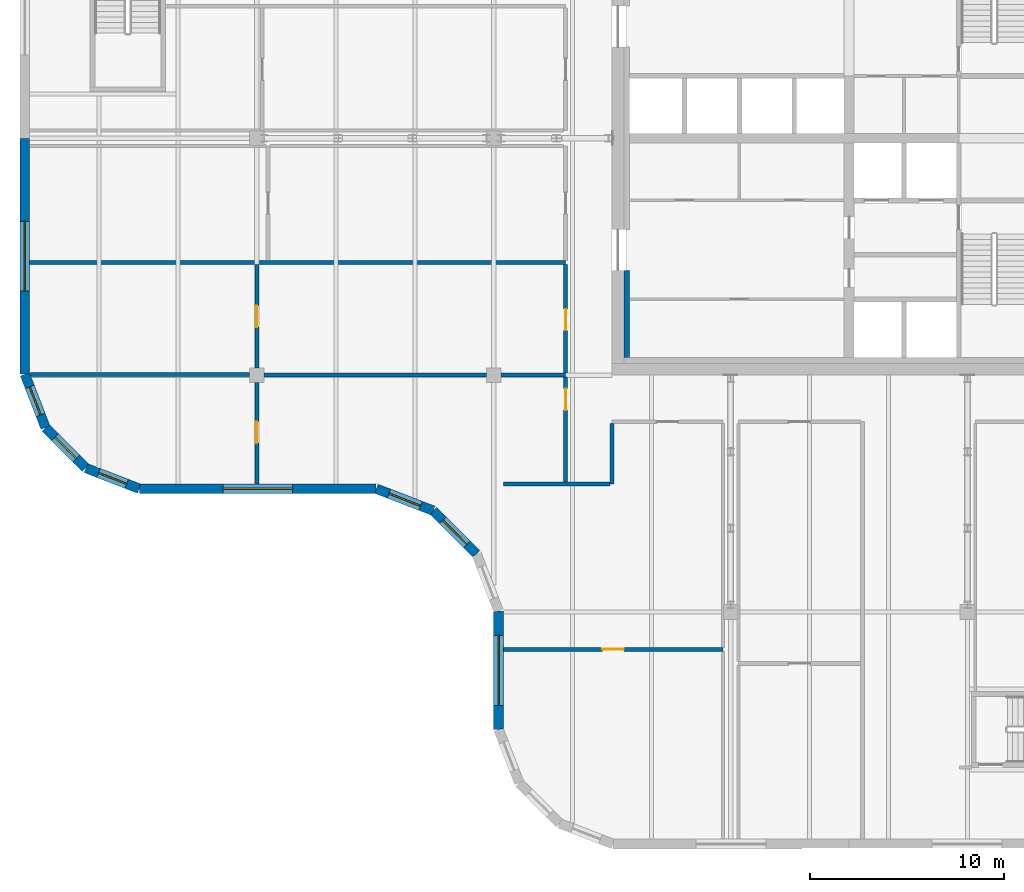
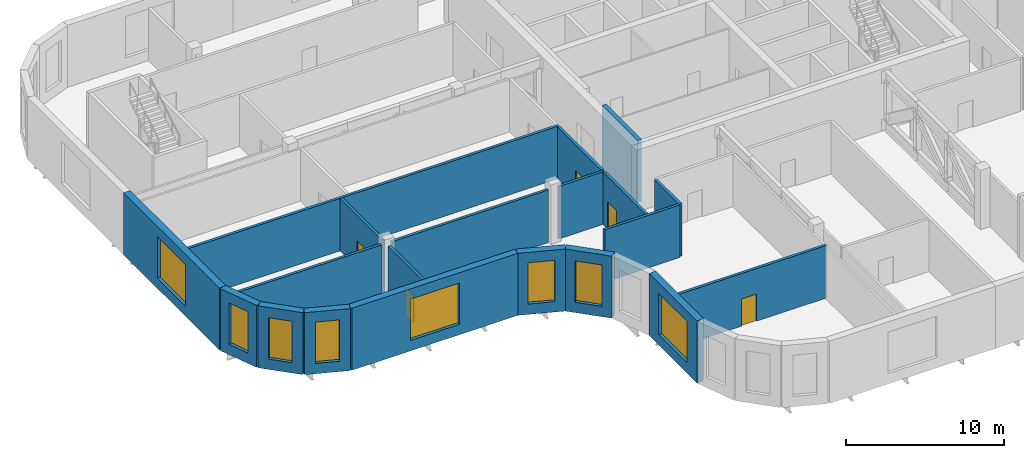
# One storey, part 5 of 12: 20 walls, 8 windows, 5 doors, 13 openings.
"""IFC4 building model written with IfcOpenShell, lengths in metres."""

from ifc_helpers import new_model, si_unit, direction, frame, frame_2d, origin, place, context, subcontext, project, spatial, polyline, rectangle, outline, extrude, faceted_brep, source, transform, mapped, material, layer, layer_set, type_object, element, fill, save


model = new_model("IFC4")

# Units and contexts
model_context = context("Model", 3, precision=1e-05, world=origin(), true_north=direction((0.0, 1.0)))
body_context = subcontext(model_context, "Body", "Model", "MODEL_VIEW")
ifc_project = project(units=[si_unit("LENGTHUNIT", "METRE"), si_unit("AREAUNIT", "SQUARE_METRE"), si_unit("VOLUMEUNIT", "CUBIC_METRE"), si_unit("PLANEANGLEUNIT", "RADIAN"), si_unit("MASSUNIT", "GRAM", prefix="KILO")], contexts=[model_context])

# Site, building, storey
site_placement = place(None, origin())
site = spatial("IfcSite", under=ifc_project, at=site_placement, CompositionType="ELEMENT")
building_placement = place(site_placement, origin())
building = spatial("IfcBuilding", under=site, at=building_placement, Name="Tessera Gate Towers", CompositionType="ELEMENT")
storey_placement = place(building_placement, frame((0.0, 0.0, 150.60009765625)))
storey = spatial("IfcBuildingStorey", under=building, at=storey_placement, Name="L37", CompositionType="ELEMENT", Elevation=150.60009765625)

# Wall
ifc_material_1 = material(Name="Concrete C50/60", Category="concrete")
ifc_layer_1 = layer(ifc_material_1, 0.300048828125)
ifc_layer_set_1 = layer_set([ifc_layer_1], Name="CORE WALL THICKENING 300")
wall_type_1 = type_object("IfcWallType", Name="CORE WALL THICKENING 300", PredefinedType="SOLIDWALL", material=ifc_layer_set_1)
wall_1_placement = place(storey_placement, frame((31.25, 25.300048828125, 0.0), z_axis=(0.0, 0.0, 1.0), x_axis=(0.0, 1.0, 0.0)))
element("IfcWall", 1, at=wall_1_placement, inside=storey, type_object=wall_type_1, Name="Core wall thickening W L37", PredefinedType="SOLIDWALL", context=body_context, shape_type="SweptSolid", body=[
    extrude(rectangle(XDim=4.5, YDim=0.300048828125, at=frame_2d((2.25, 0.0))), origin(), (0.0, 0.0, 1.0), 4.7998046875),
])

# Wall, opening, door
ifc_material_2 = material(Name="Concrete masonry unit", Category="masonry")
ifc_layer_2 = layer(ifc_material_2, 0.199951171875)
ifc_layer_set_2 = layer_set([ifc_layer_2], Name="PLANT WALL 200")
wall_type_2 = type_object("IfcWallType", Name="PLANT WALL 200", PredefinedType="PARTITIONING", material=ifc_layer_set_2)
wall_2_placement = place(storey_placement, frame((36.199951171875, 10.27490234375, 0.0), z_axis=(0.0, 0.0, 1.0), x_axis=(-1.0, 0.0, 0.0)))
wall_2 = element("IfcWall", 2, at=wall_2_placement, inside=storey, type_object=wall_type_2, Name="T1-L37-PW-008", PredefinedType="PARTITIONING", context=body_context, shape_type="SweptSolid", body=[
    extrude(rectangle(XDim=11.300048828125, YDim=0.199951171875, at=frame_2d((5.64990234375, 0.0))), origin(), (0.0, 0.0, 1.0), 4.06689453125),
])
shared_shape_1 = source(origin(), body_context, "Body", "SweptSolid", [
    extrude(rectangle(XDim=1.10009765625, YDim=2.10009765625, at=frame_2d((0.550048828125, 1.050048828125))), frame((0.0, 0.10986328125, 0.0), z_axis=(0.0, -1.0, 0.0), x_axis=(1.0, 0.0, 0.0)), (0.0, 0.0, 1.0), 0.219970703125),
])
opening_1_placement = place(wall_2_placement, frame((5.10009765625, 0.0, 0.0)))
opening_1 = element("IfcOpeningElement", 3, at=opening_1_placement, cuts=wall_2, Name="Opening D5110FD90-A31-19", PredefinedType="OPENING", context=body_context, shape_type="MappedRepresentation", body=[
    mapped(shared_shape_1, transform((0.0, 0.0, 0.0), scale=1.0)),
])
ifc_material_3 = material(Name="Timber door leaf in steel frame", Category="steel")
door_type = type_object("IfcDoorType", Name="PLANT DOOR 1100 FD90", OperationType="NOTDEFINED", PredefinedType="DOOR", material=ifc_material_3)
shared_shape_2 = source(origin(), body_context, "Body", "SweptSolid", [
    extrude(rectangle(XDim=1.10009765625, YDim=2.10009765625, at=frame_2d((0.550048828125, 1.050048828125))), frame((0.0, 0.02490234375, 0.0), z_axis=(0.0, -1.0, 0.0), x_axis=(1.0, 0.0, 0.0)), (0.0, 0.0, 1.0), 0.050048828125),
])
door_1_placement = place(opening_1_placement, origin())
door_1 = element("IfcDoor", 4, at=door_1_placement, inside=storey, type_object=door_type, Name="T1-L37-PD-019", OperationType="SINGLE_SWING_RIGHT", OverallHeight=2.10009765625, OverallWidth=1.10009765625, PredefinedType="DOOR", context=body_context, shape_type="MappedRepresentation", body=[
    mapped(shared_shape_2, transform((0.0, 0.0, 0.0), scale=1.0)),
])
fill(opening_1, door_1)

wall_3_placement = place(storey_placement, frame((12.199951171875, 18.800048828125, 0.0), z_axis=(0.0, 0.0, 1.0), x_axis=(0.0, 1.0, 0.0)))
wall_3 = element("IfcWall", 5, at=wall_3_placement, inside=storey, type_object=wall_type_2, Name="T1-L37-PW-010", PredefinedType="PARTITIONING", context=body_context, shape_type="SweptSolid", body=[
    extrude(rectangle(XDim=5.223876953125, YDim=0.199951171875, at=frame_2d((2.61181640625, 0.0))), origin(), (0.0, 0.0, 1.0), 4.06689453125),
])
opening_2_placement = place(wall_3_placement, frame((2.10009765625, 0.0, 0.0)))
opening_2 = element("IfcOpeningElement", 6, at=opening_2_placement, cuts=wall_3, Name="Opening D5110FD90-A31-03", PredefinedType="OPENING", context=body_context, shape_type="MappedRepresentation", body=[
    mapped(shared_shape_1, transform((0.0, 0.0, 0.0), scale=1.0)),
])
door_2_placement = place(opening_2_placement, origin())
door_2 = element("IfcDoor", 7, at=door_2_placement, inside=storey, type_object=door_type, Name="T1-L37-PD-003", OperationType="SINGLE_SWING_LEFT", OverallHeight=2.10009765625, OverallWidth=1.10009765625, PredefinedType="DOOR", context=body_context, shape_type="MappedRepresentation", body=[
    mapped(shared_shape_2, transform((0.0, 0.0, 0.0), scale=1.0)),
])
fill(opening_2, door_2)

# Walls
wall_4_placement = place(storey_placement, frame((24.89990234375, 18.800048828125, 0.0), z_axis=(0.0, 0.0, 1.0), x_axis=(1.0, 0.0, 0.0)))
element("IfcWall", 8, at=wall_4_placement, inside=storey, type_object=wall_type_2, Name="T1-L37-PW-011", PredefinedType="PARTITIONING", context=body_context, shape_type="SweptSolid", body=[
    extrude(rectangle(XDim=5.4990234375, YDim=0.199951171875, at=frame_2d((2.74951171875, 0.0))), origin(), (0.0, 0.0, 1.0), 4.06689453125),
])
wall_5_placement = place(storey_placement, frame((30.5, 18.800048828125, 0.0), z_axis=(0.0, 0.0, 1.0), x_axis=(0.0, 1.0, 0.0)))
element("IfcWall", 9, at=wall_5_placement, inside=storey, type_object=wall_type_2, Name="T1-L37-PW-012", PredefinedType="PARTITIONING", context=body_context, shape_type="SweptSolid", body=[
    extrude(rectangle(XDim=3.098876953125, YDim=0.199951171875, at=frame_2d((1.54931640625, 0.0))), origin(), (0.0, 0.0, 1.0), 4.06689453125),
])

# Wall, opening, door
wall_6_placement = place(storey_placement, frame((28.10009765625, 18.90087890625, 0.0), z_axis=(0.0, 0.0, 1.0), x_axis=(0.0, 1.0, 0.0)))
wall_6 = element("IfcWall", 10, at=wall_6_placement, inside=storey, type_object=wall_type_2, Name="T1-L37-PW-013", PredefinedType="PARTITIONING", context=body_context, shape_type="SweptSolid", body=[
    extrude(rectangle(XDim=5.398193359375, YDim=0.199951171875, at=frame_2d((2.69921875, 0.0))), origin(), (0.0, 0.0, 1.0), 4.06689453125),
])
opening_3_placement = place(wall_6_placement, frame((3.699951171875, 0.0, 0.0)))
opening_3 = element("IfcOpeningElement", 11, at=opening_3_placement, cuts=wall_6, Name="Opening D5110FD90-A31-01", PredefinedType="OPENING", context=body_context, shape_type="MappedRepresentation", body=[
    mapped(shared_shape_1, transform((0.0, 0.0, 0.0), scale=1.0)),
])
door_3_placement = place(opening_3_placement, origin())
door_3 = element("IfcDoor", 12, at=door_3_placement, inside=storey, type_object=door_type, Name="T1-L37-PD-001", OperationType="SINGLE_SWING_RIGHT", OverallHeight=2.10009765625, OverallWidth=1.10009765625, PredefinedType="DOOR", context=body_context, shape_type="MappedRepresentation", body=[
    mapped(shared_shape_2, transform((0.0, 0.0, 0.0), scale=1.0)),
])
fill(opening_3, door_3)

# Walls
wall_7_placement = place(storey_placement, frame((0.535888671875, 24.43994140625, 0.0), z_axis=(0.0, 0.0, 1.0), x_axis=(1.0, 0.0, 0.0)))
element("IfcWall", 13, at=wall_7_placement, inside=storey, type_object=wall_type_2, Name="T1-L37-PW-019", PredefinedType="PARTITIONING", context=body_context, shape_type="SweptSolid", body=[
    extrude(rectangle(XDim=11.2880859375, YDim=0.199951171875, at=frame_2d((5.64404296875, 0.0))), origin(), (0.0, 0.0, 1.0), 4.06689453125),
])
wall_8_placement = place(storey_placement, frame((12.575927734375, 24.39990234375, 0.0), z_axis=(0.0, 0.0, 1.0), x_axis=(1.0, 0.0, 0.0)))
element("IfcWall", 14, at=wall_8_placement, inside=storey, type_object=wall_type_2, Name="T1-L37-PW-020", PredefinedType="PARTITIONING", context=body_context, shape_type="SweptSolid", body=[
    extrude(rectangle(XDim=11.447998046875, YDim=0.199951171875, at=frame_2d((5.72412109375, 0.0))), origin(), (0.0, 0.0, 1.0), 4.06689453125),
])
wall_9_placement = place(storey_placement, frame((24.77587890625, 24.39990234375, 0.0), z_axis=(0.0, 0.0, 1.0), x_axis=(1.0, 0.0, 0.0)))
element("IfcWall", 15, at=wall_9_placement, inside=storey, type_object=wall_type_2, Name="T1-L37-PW-021", PredefinedType="PARTITIONING", context=body_context, shape_type="SweptSolid", body=[
    extrude(rectangle(XDim=3.32421875, YDim=0.199951171875, at=frame_2d((1.662109375, 0.0))), origin(), (0.0, 0.0, 1.0), 4.06689453125),
])

# Wall, opening, door
wall_10_placement = place(storey_placement, frame((28.10009765625, 24.5009765625, 0.0), z_axis=(0.0, 0.0, 1.0), x_axis=(0.0, 1.0, 0.0)))
wall_10 = element("IfcWall", 16, at=wall_10_placement, inside=storey, type_object=wall_type_2, Name="T1-L37-PW-022", PredefinedType="PARTITIONING", context=body_context, shape_type="SweptSolid", body=[
    extrude(rectangle(XDim=5.59814453125, YDim=0.199951171875, at=frame_2d((2.799072265625, 0.0))), origin(), (0.0, 0.0, 1.0), 4.06689453125),
])
opening_4_placement = place(wall_10_placement, frame((2.199951171875, 0.0, 0.0)))
opening_4 = element("IfcOpeningElement", 17, at=opening_4_placement, cuts=wall_10, Name="Opening D5110FD90-A31-05", PredefinedType="OPENING", context=body_context, shape_type="MappedRepresentation", body=[
    mapped(shared_shape_1, transform((0.0, 0.0, 0.0), scale=1.0)),
])
door_4_placement = place(opening_4_placement, origin())
door_4 = element("IfcDoor", 18, at=door_4_placement, inside=storey, type_object=door_type, Name="T1-L37-PD-005", OperationType="SINGLE_SWING_LEFT", OverallHeight=2.10009765625, OverallWidth=1.10009765625, PredefinedType="DOOR", context=body_context, shape_type="MappedRepresentation", body=[
    mapped(shared_shape_2, transform((0.0, 0.0, 0.0), scale=1.0)),
])
fill(opening_4, door_4)

wall_11_placement = place(storey_placement, frame((12.199951171875, 24.77587890625, 0.0), z_axis=(0.0, 0.0, 1.0), x_axis=(0.0, 1.0, 0.0)))
wall_11 = element("IfcWall", 19, at=wall_11_placement, inside=storey, type_object=wall_type_2, Name="T1-L37-PW-023", PredefinedType="PARTITIONING", context=body_context, shape_type="SweptSolid", body=[
    extrude(rectangle(XDim=5.3232421875, YDim=0.199951171875, at=frame_2d((2.66162109375, 0.0))), origin(), (0.0, 0.0, 1.0), 4.06689453125),
])
opening_5_placement = place(wall_11_placement, frame((2.10009765625, 0.0, 0.0)))
opening_5 = element("IfcOpeningElement", 20, at=opening_5_placement, cuts=wall_11, Name="Opening D5110FD90-A31-04", PredefinedType="OPENING", context=body_context, shape_type="MappedRepresentation", body=[
    mapped(shared_shape_1, transform((0.0, 0.0, 0.0), scale=1.0)),
])
door_5_placement = place(opening_5_placement, origin())
door_5 = element("IfcDoor", 21, at=door_5_placement, inside=storey, type_object=door_type, Name="T1-L37-PD-004", OperationType="SINGLE_SWING_LEFT", OverallHeight=2.10009765625, OverallWidth=1.10009765625, PredefinedType="DOOR", context=body_context, shape_type="MappedRepresentation", body=[
    mapped(shared_shape_2, transform((0.0, 0.0, 0.0), scale=1.0)),
])
fill(opening_5, door_5)

# Wall
wall_12_placement = place(storey_placement, frame((0.5, 30.199951171875, 0.0), z_axis=(0.0, 0.0, 1.0), x_axis=(1.0, 0.0, 0.0)))
element("IfcWall", 22, at=wall_12_placement, inside=storey, type_object=wall_type_2, Name="T1-L37-PW-024", PredefinedType="PARTITIONING", context=body_context, shape_type="SweptSolid", body=[
    extrude(rectangle(XDim=27.60009765625, YDim=0.199951171875, at=frame_2d((13.800048828125, 0.0))), origin(), (0.0, 0.0, 1.0), 4.06689453125),
])

# Wall, opening, window
ifc_material_4 = material(Name="Precast concrete C60/75 white", Category="concrete")
ifc_layer_3 = layer(ifc_material_4, 0.5)
ifc_layer_set_3 = layer_set([ifc_layer_3], Name="RB1 ring band panel")
wall_type_3 = type_object("IfcWallType", Name="RB1 ring band panel", PredefinedType="SOLIDWALL", material=ifc_layer_set_3)
shared_shape_3 = source(origin(), body_context, "Body", "Brep", [
    faceted_brep([(0.0, -0.25, 0.0), (12.153564453125, -0.25, 0.0), (12.153564453125, -0.25, 4.7998046875), (0.0, -0.25, 4.7998046875), (0.0, 0.25, 4.7998046875), (12.10693359375, 0.25, 4.7998046875), (12.10693359375, 0.25, 0.0), (0.0, 0.25, 0.0), (12.153564453125, -0.00048828125, 0.0), (12.153564453125, -0.00048828125, 4.7998046875)], [[[0, 1, 2, 3]], [[4, 5, 6, 7]], [[7, 6, 8, 1, 0]], [[9, 2, 1, 8]], [[5, 4, 3, 2, 9]], [[4, 7, 0, 3]], [[8, 6, 5, 9]]]),
])
wall_13_placement = place(storey_placement, frame((0.25, 36.60009765625, 0.0), z_axis=(0.0, 0.0, 1.0), x_axis=(0.0, -1.0, 0.0)))
wall_13 = element("IfcWall", 23, at=wall_13_placement, inside=storey, type_object=wall_type_3, Name="Ring band panel T1 RB1-0053", PredefinedType="SOLIDWALL", context=body_context, shape_type="MappedRepresentation", body=[
    mapped(shared_shape_3, transform((0.0, 0.0, 0.0), scale=1.0)),
])
shared_shape_4 = source(origin(), body_context, "Body", "SweptSolid", [
    extrude(outline(polyline([(4.276611328125, 0.7998046875), (7.876708984375, 0.7998046875), (7.876708984375, 4.0), (4.276611328125, 4.0), (4.276611328125, 0.7998046875)])), frame((0.0, 0.260009765625, 0.0), z_axis=(0.0, -1.0, 0.0), x_axis=(1.0, 0.0, 0.0)), (0.0, 0.0, 1.0), 0.52001953125),
])
opening_6_placement = place(wall_13_placement, origin())
opening_6 = element("IfcOpeningElement", 24, at=opening_6_placement, cuts=wall_13, Name="Opening T1-WN-LV1-0053", PredefinedType="OPENING", context=body_context, shape_type="MappedRepresentation", body=[
    mapped(shared_shape_4, transform((0.0, 0.0, 0.0), scale=1.0)),
])
ifc_material_5 = material(Name="Aluminium louvre", Category="aluminium")
ifc_layer_4 = layer(ifc_material_5, 0.06005859375)
ifc_layer_set_4 = layer_set([ifc_layer_4], Name="LV1 louvre")
window_type = type_object("IfcWindowType", Name="LV1 louvre", PartitioningType="USERDEFINED", PredefinedType="WINDOW", material=ifc_layer_set_4)
shared_shape_5 = source(origin(), body_context, "Body", "SweptSolid", [
    extrude(outline(polyline([(4.276611328125, 0.7998046875), (7.876708984375, 0.7998046875), (7.876708984375, 4.0), (4.276611328125, 4.0), (4.276611328125, 0.7998046875)])), frame((0.0, 0.030029296875, 0.0), z_axis=(0.0, -1.0, 0.0), x_axis=(1.0, 0.0, 0.0)), (0.0, 0.0, 1.0), 0.06005859375),
])
window_1_placement = place(opening_6_placement, origin())
window_1 = element("IfcWindow", 25, at=window_1_placement, inside=storey, type_object=window_type, Name="Louvre T1 WN-LV1-0053", OverallHeight=3.2001953125, OverallWidth=3.60009765625, PartitioningType="USERDEFINED", PredefinedType="WINDOW", context=body_context, shape_type="MappedRepresentation", body=[
    mapped(shared_shape_5, transform((0.0, 0.0, 0.0), scale=1.0)),
])
fill(opening_6, window_1)

shared_shape_6 = source(origin(), body_context, "Body", "Brep", [
    faceted_brep([(0.0, -0.25, 0.0), (2.950439453125, -0.25, 0.0), (2.950439453125, -0.25, 4.7998046875), (0.0, -0.25, 4.7998046875), (0.046630859375, 0.25, 4.7998046875), (2.897705078125, 0.25, 4.7998046875), (2.897705078125, 0.25, 0.0), (0.046630859375, 0.25, 0.0), (2.950439453125, 0.00048828125, 0.0), (0.0, 0.0, 0.0), (2.950439453125, 0.00048828125, 4.7998046875), (0.0, 0.0, 4.7998046875)], [[[0, 1, 2, 3]], [[4, 5, 6, 7]], [[7, 6, 8, 1, 0, 9]], [[10, 2, 1, 8]], [[5, 4, 11, 3, 2, 10]], [[9, 0, 3, 11]], [[7, 9, 11, 4]], [[8, 6, 5, 10]]]),
])
wall_14_placement = place(storey_placement, frame((0.25, 24.446533203125, 0.0), z_axis=(0.0, 0.0, 1.0), x_axis=(0.359877213415, -0.932999673775, 0.0)))
wall_14 = element("IfcWall", 26, at=wall_14_placement, inside=storey, type_object=wall_type_3, Name="Ring band panel T1 RB1-0054", PredefinedType="SOLIDWALL", context=body_context, shape_type="MappedRepresentation", body=[
    mapped(shared_shape_6, transform((0.0, 0.0, 0.0), scale=1.0)),
])
shared_shape_7 = source(origin(), body_context, "Body", "SweptSolid", [
    extrude(outline(polyline([(0.699951171875, 0.7998046875), (2.25048828125, 0.7998046875), (2.25048828125, 4.0), (0.699951171875, 4.0), (0.699951171875, 0.7998046875)])), frame((0.0, 0.260009765625, 0.0), z_axis=(0.0, -1.0, 0.0), x_axis=(1.0, 0.0, 0.0)), (0.0, 0.0, 1.0), 0.52001953125),
])
opening_7_placement = place(wall_14_placement, origin())
opening_7 = element("IfcOpeningElement", 27, at=opening_7_placement, cuts=wall_14, Name="Opening T1-WN-LV1-0054", PredefinedType="OPENING", context=body_context, shape_type="MappedRepresentation", body=[
    mapped(shared_shape_7, transform((0.0, 0.0, 0.0), scale=1.0)),
])
shared_shape_8 = source(origin(), body_context, "Body", "SweptSolid", [
    extrude(outline(polyline([(0.699951171875, 0.7998046875), (2.25048828125, 0.7998046875), (2.25048828125, 4.0), (0.699951171875, 4.0), (0.699951171875, 0.7998046875)])), frame((0.0, 0.030029296875, 0.0), z_axis=(0.0, -1.0, 0.0), x_axis=(1.0, 0.0, 0.0)), (0.0, 0.0, 1.0), 0.06005859375),
])
window_2_placement = place(opening_7_placement, origin())
window_2 = element("IfcWindow", 28, at=window_2_placement, inside=storey, type_object=window_type, Name="Louvre T1 WN-LV1-0054", OverallHeight=3.2001953125, OverallWidth=1.550537109375, PartitioningType="USERDEFINED", PredefinedType="WINDOW", context=body_context, shape_type="MappedRepresentation", body=[
    mapped(shared_shape_8, transform((0.0, 0.0, 0.0), scale=1.0)),
])
fill(opening_7, window_2)

shared_shape_9 = source(origin(), body_context, "Body", "Brep", [
    faceted_brep([(0.0, -0.25, 0.0), (2.944091796875, -0.25, 0.0), (2.944091796875, -0.25, 4.7998046875), (0.0, -0.25, 4.7998046875), (0.052978515625, 0.25, 4.7998046875), (2.89111328125, 0.25, 4.7998046875), (2.89111328125, 0.25, 0.0), (0.052978515625, 0.25, 0.0), (2.944091796875, 0.000244140625, 0.0), (0.0, 0.0, 0.0), (2.944091796875, 0.000244140625, 4.7998046875), (0.0, 0.0, 4.7998046875)], [[[0, 1, 2, 3]], [[4, 5, 6, 7]], [[7, 6, 8, 1, 0, 9]], [[10, 2, 1, 8]], [[5, 4, 11, 3, 2, 10]], [[9, 0, 3, 11]], [[7, 9, 11, 4]], [[8, 6, 5, 10]]]),
])
wall_15_placement = place(storey_placement, frame((1.31201171875, 21.69384765625, 0.0), z_axis=(0.0, 0.0, 1.0), x_axis=(0.707106781187, -0.707106781187, 0.0)))
wall_15 = element("IfcWall", 29, at=wall_15_placement, inside=storey, type_object=wall_type_3, Name="Ring band panel T1 RB1-0055", PredefinedType="SOLIDWALL", context=body_context, shape_type="MappedRepresentation", body=[
    mapped(shared_shape_9, transform((0.0, 0.0, 0.0), scale=1.0)),
])
shared_shape_10 = source(origin(), body_context, "Body", "SweptSolid", [
    extrude(outline(polyline([(0.699951171875, 0.7998046875), (2.244140625, 0.7998046875), (2.244140625, 4.0), (0.699951171875, 4.0), (0.699951171875, 0.7998046875)])), frame((0.0, 0.260009765625, 0.0), z_axis=(0.0, -1.0, 0.0), x_axis=(1.0, 0.0, 0.0)), (0.0, 0.0, 1.0), 0.52001953125),
])
opening_8_placement = place(wall_15_placement, origin())
opening_8 = element("IfcOpeningElement", 30, at=opening_8_placement, cuts=wall_15, Name="Opening T1-WN-LV1-0055", PredefinedType="OPENING", context=body_context, shape_type="MappedRepresentation", body=[
    mapped(shared_shape_10, transform((0.0, 0.0, 0.0), scale=1.0)),
])
shared_shape_11 = source(origin(), body_context, "Body", "SweptSolid", [
    extrude(outline(polyline([(0.699951171875, 0.7998046875), (2.244140625, 0.7998046875), (2.244140625, 4.0), (0.699951171875, 4.0), (0.699951171875, 0.7998046875)])), frame((0.0, 0.030029296875, 0.0), z_axis=(0.0, -1.0, 0.0), x_axis=(1.0, 0.0, 0.0)), (0.0, 0.0, 1.0), 0.06005859375),
])
window_3_placement = place(opening_8_placement, origin())
window_3 = element("IfcWindow", 31, at=window_3_placement, inside=storey, type_object=window_type, Name="Louvre T1 WN-LV1-0055", OverallHeight=3.2001953125, OverallWidth=1.544189453125, PartitioningType="USERDEFINED", PredefinedType="WINDOW", context=body_context, shape_type="MappedRepresentation", body=[
    mapped(shared_shape_11, transform((0.0, 0.0, 0.0), scale=1.0)),
])
fill(opening_8, window_3)

shared_shape_12 = source(origin(), body_context, "Body", "Brep", [
    faceted_brep([(0.0, -0.25, 0.0), (2.950439453125, -0.25, 0.0), (2.950439453125, -0.25, 4.7998046875), (0.0, -0.25, 4.7998046875), (0.052978515625, 0.25, 4.7998046875), (2.904052734375, 0.25, 4.7998046875), (2.904052734375, 0.25, 0.0), (0.052978515625, 0.25, 0.0), (2.950439453125, 0.00048828125, 0.0), (0.0, 0.0, 0.0), (2.950439453125, 0.00048828125, 4.7998046875), (0.0, 0.0, 4.7998046875)], [[[0, 1, 2, 3]], [[4, 5, 6, 7]], [[7, 6, 8, 1, 0, 9]], [[10, 2, 1, 8]], [[5, 4, 11, 3, 2, 10]], [[9, 0, 3, 11]], [[7, 9, 11, 4]], [[8, 6, 5, 10]]]),
])
wall_16_placement = place(storey_placement, frame((3.393798828125, 19.61181640625, 0.0), z_axis=(0.0, 0.0, 1.0), x_axis=(0.932999673775, -0.359877213415, 0.0)))
wall_16 = element("IfcWall", 32, at=wall_16_placement, inside=storey, type_object=wall_type_3, Name="Ring band panel T1 RB1-0056", PredefinedType="SOLIDWALL", context=body_context, shape_type="MappedRepresentation", body=[
    mapped(shared_shape_12, transform((0.0, 0.0, 0.0), scale=1.0)),
])
opening_9_placement = place(wall_16_placement, origin())
opening_9 = element("IfcOpeningElement", 33, at=opening_9_placement, cuts=wall_16, Name="Opening T1-WN-LV1-0056", PredefinedType="OPENING", context=body_context, shape_type="MappedRepresentation", body=[
    mapped(shared_shape_7, transform((0.0, 0.0, 0.0), scale=1.0)),
])
window_4_placement = place(opening_9_placement, origin())
window_4 = element("IfcWindow", 34, at=window_4_placement, inside=storey, type_object=window_type, Name="Louvre T1 WN-LV1-0056", OverallHeight=3.2001953125, OverallWidth=1.550537109375, PartitioningType="USERDEFINED", PredefinedType="WINDOW", context=body_context, shape_type="MappedRepresentation", body=[
    mapped(shared_shape_8, transform((0.0, 0.0, 0.0), scale=1.0)),
])
fill(opening_9, window_4)

shared_shape_13 = source(origin(), body_context, "Body", "Brep", [
    faceted_brep([(0.0, -0.25, 0.0), (12.153564453125, -0.25, 0.0), (12.153564453125, -0.25, 4.7998046875), (0.0, -0.25, 4.7998046875), (0.046630859375, 0.25, 4.7998046875), (12.199951171875, 0.25, 4.7998046875), (12.199951171875, 0.25, 0.0), (0.046630859375, 0.25, 0.0), (12.199951171875, -0.000244140625, 0.0), (0.0, 0.0, 0.0), (12.199951171875, -0.000244140625, 4.7998046875), (0.0, 0.0, 4.7998046875)], [[[0, 1, 2, 3]], [[4, 5, 6, 7]], [[7, 6, 8, 1, 0, 9]], [[6, 5, 10, 8]], [[5, 4, 11, 3, 2, 10]], [[9, 0, 3, 11]], [[7, 9, 11, 4]], [[1, 8, 10, 2]]]),
])
wall_17_placement = place(storey_placement, frame((6.146484375, 18.550048828125, 0.0), z_axis=(0.0, 0.0, 1.0), x_axis=(1.0, 0.0, 0.0)))
wall_17 = element("IfcWall", 35, at=wall_17_placement, inside=storey, type_object=wall_type_3, Name="Ring band panel T1 RB1-0057", PredefinedType="SOLIDWALL", context=body_context, shape_type="MappedRepresentation", body=[
    mapped(shared_shape_13, transform((0.0, 0.0, 0.0), scale=1.0)),
])
shared_shape_14 = source(origin(), body_context, "Body", "SweptSolid", [
    extrude(outline(polyline([(4.300048828125, 0.7998046875), (7.89990234375, 0.7998046875), (7.89990234375, 4.0), (4.300048828125, 4.0), (4.300048828125, 0.7998046875)])), frame((0.0, 0.260009765625, 0.0), z_axis=(0.0, -1.0, 0.0), x_axis=(1.0, 0.0, 0.0)), (0.0, 0.0, 1.0), 0.52001953125),
])
opening_10_placement = place(wall_17_placement, origin())
opening_10 = element("IfcOpeningElement", 36, at=opening_10_placement, cuts=wall_17, Name="Opening T1-WN-LV1-0057", PredefinedType="OPENING", context=body_context, shape_type="MappedRepresentation", body=[
    mapped(shared_shape_14, transform((0.0, 0.0, 0.0), scale=1.0)),
])
shared_shape_15 = source(origin(), body_context, "Body", "SweptSolid", [
    extrude(outline(polyline([(4.300048828125, 0.7998046875), (7.89990234375, 0.7998046875), (7.89990234375, 4.0), (4.300048828125, 4.0), (4.300048828125, 0.7998046875)])), frame((0.0, 0.030029296875, 0.0), z_axis=(0.0, -1.0, 0.0), x_axis=(1.0, 0.0, 0.0)), (0.0, 0.0, 1.0), 0.06005859375),
])
window_5_placement = place(opening_10_placement, origin())
window_5 = element("IfcWindow", 37, at=window_5_placement, inside=storey, type_object=window_type, Name="Louvre T1 WN-LV1-0057", OverallHeight=3.2001953125, OverallWidth=3.599853515625, PartitioningType="USERDEFINED", PredefinedType="WINDOW", context=body_context, shape_type="MappedRepresentation", body=[
    mapped(shared_shape_15, transform((0.0, 0.0, 0.0), scale=1.0)),
])
fill(opening_10, window_5)

shared_shape_16 = source(origin(), body_context, "Body", "Brep", [
    faceted_brep([(0.046630859375, -0.25, 0.0), (3.096435546875, -0.25, 0.0), (3.096435546875, -0.25, 4.7998046875), (0.046630859375, -0.25, 4.7998046875), (0.0, 0.25, 4.7998046875), (3.1494140625, 0.25, 4.7998046875), (3.1494140625, 0.25, 0.0), (0.0, 0.25, 0.0), (3.1494140625, -0.000244140625, 0.0), (0.0, 0.0, 0.0), (3.1494140625, -0.000244140625, 4.7998046875), (0.0, 0.0, 4.7998046875)], [[[0, 1, 2, 3]], [[4, 5, 6, 7]], [[7, 6, 8, 1, 0, 9]], [[6, 5, 10, 8]], [[5, 4, 11, 3, 2, 10]], [[4, 7, 9, 11]], [[9, 0, 3, 11]], [[1, 8, 10, 2]]]),
])
wall_18_placement = place(storey_placement, frame((18.346435546875, 18.550048828125, 0.0), z_axis=(0.0, 0.0, 1.0), x_axis=(0.932987528699, -0.35990869855, 0.0)))
wall_18 = element("IfcWall", 38, at=wall_18_placement, inside=storey, type_object=wall_type_3, Name="Ring band panel T1 RB1-0058", PredefinedType="SOLIDWALL", context=body_context, shape_type="MappedRepresentation", body=[
    mapped(shared_shape_16, transform((0.0, 0.0, 0.0), scale=1.0)),
])
shared_shape_17 = source(origin(), body_context, "Body", "SweptSolid", [
    extrude(outline(polyline([(0.699951171875, 0.7998046875), (2.449462890625, 0.7998046875), (2.449462890625, 4.0), (0.699951171875, 4.0), (0.699951171875, 0.7998046875)])), frame((0.0, 0.260009765625, 0.0), z_axis=(0.0, -1.0, 0.0), x_axis=(1.0, 0.0, 0.0)), (0.0, 0.0, 1.0), 0.52001953125),
])
opening_11_placement = place(wall_18_placement, origin())
opening_11 = element("IfcOpeningElement", 39, at=opening_11_placement, cuts=wall_18, Name="Opening T1-WN-LV1-0058", PredefinedType="OPENING", context=body_context, shape_type="MappedRepresentation", body=[
    mapped(shared_shape_17, transform((0.0, 0.0, 0.0), scale=1.0)),
])
shared_shape_18 = source(origin(), body_context, "Body", "SweptSolid", [
    extrude(outline(polyline([(0.699951171875, 0.7998046875), (2.449462890625, 0.7998046875), (2.449462890625, 4.0), (0.699951171875, 4.0), (0.699951171875, 0.7998046875)])), frame((0.0, 0.030029296875, 0.0), z_axis=(0.0, -1.0, 0.0), x_axis=(1.0, 0.0, 0.0)), (0.0, 0.0, 1.0), 0.06005859375),
])
window_6_placement = place(opening_11_placement, origin())
window_6 = element("IfcWindow", 40, at=window_6_placement, inside=storey, type_object=window_type, Name="Louvre T1 WN-LV1-0058", OverallHeight=3.2001953125, OverallWidth=1.74951171875, PartitioningType="USERDEFINED", PredefinedType="WINDOW", context=body_context, shape_type="MappedRepresentation", body=[
    mapped(shared_shape_18, transform((0.0, 0.0, 0.0), scale=1.0)),
])
fill(opening_11, window_6)

shared_shape_19 = source(origin(), body_context, "Body", "Brep", [
    faceted_brep([(0.052978515625, -0.25, 0.0), (3.10302734375, -0.25, 0.0), (3.10302734375, -0.25, 4.7998046875), (0.052978515625, -0.25, 4.7998046875), (0.0, 0.25, 4.7998046875), (3.15576171875, 0.25, 4.7998046875), (3.15576171875, 0.25, 0.0), (0.0, 0.25, 0.0), (3.15576171875, -0.00048828125, 0.0), (0.0, 0.0, 0.0), (3.15576171875, -0.00048828125, 4.7998046875), (0.0, 0.0, 4.7998046875)], [[[0, 1, 2, 3]], [[4, 5, 6, 7]], [[7, 6, 8, 1, 0, 9]], [[6, 5, 10, 8]], [[5, 4, 11, 3, 2, 10]], [[4, 7, 9, 11]], [[9, 0, 3, 11]], [[1, 8, 10, 2]]]),
])
wall_19_placement = place(storey_placement, frame((21.284912109375, 17.41650390625, 0.0), z_axis=(0.0, 0.0, 1.0), x_axis=(0.707106781187, -0.707106781187, 0.0)))
wall_19 = element("IfcWall", 41, at=wall_19_placement, inside=storey, type_object=wall_type_3, Name="Ring band panel T1 RB1-0059", PredefinedType="SOLIDWALL", context=body_context, shape_type="MappedRepresentation", body=[
    mapped(shared_shape_19, transform((0.0, 0.0, 0.0), scale=1.0)),
])
shared_shape_20 = source(origin(), body_context, "Body", "SweptSolid", [
    extrude(outline(polyline([(0.699951171875, 0.7998046875), (2.455810546875, 0.7998046875), (2.455810546875, 4.0), (0.699951171875, 4.0), (0.699951171875, 0.7998046875)])), frame((0.0, 0.260009765625, 0.0), z_axis=(0.0, -1.0, 0.0), x_axis=(1.0, 0.0, 0.0)), (0.0, 0.0, 1.0), 0.52001953125),
])
opening_12_placement = place(wall_19_placement, origin())
opening_12 = element("IfcOpeningElement", 42, at=opening_12_placement, cuts=wall_19, Name="Opening T1-WN-LV1-0059", PredefinedType="OPENING", context=body_context, shape_type="MappedRepresentation", body=[
    mapped(shared_shape_20, transform((0.0, 0.0, 0.0), scale=1.0)),
])
shared_shape_21 = source(origin(), body_context, "Body", "SweptSolid", [
    extrude(outline(polyline([(0.699951171875, 0.7998046875), (2.455810546875, 0.7998046875), (2.455810546875, 4.0), (0.699951171875, 4.0), (0.699951171875, 0.7998046875)])), frame((0.0, 0.030029296875, 0.0), z_axis=(0.0, -1.0, 0.0), x_axis=(1.0, 0.0, 0.0)), (0.0, 0.0, 1.0), 0.06005859375),
])
window_7_placement = place(opening_12_placement, origin())
window_7 = element("IfcWindow", 43, at=window_7_placement, inside=storey, type_object=window_type, Name="Louvre T1 WN-LV1-0059", OverallHeight=3.2001953125, OverallWidth=1.755859375, PartitioningType="USERDEFINED", PredefinedType="WINDOW", context=body_context, shape_type="MappedRepresentation", body=[
    mapped(shared_shape_21, transform((0.0, 0.0, 0.0), scale=1.0)),
])
fill(opening_12, window_7)

shared_shape_22 = source(origin(), body_context, "Body", "Brep", [
    faceted_brep([(0.046630859375, -0.25, 0.0), (6.10009765625, -0.25, 0.0), (6.10009765625, -0.25, 4.7998046875), (0.046630859375, -0.25, 4.7998046875), (0.0, 0.25, 4.7998046875), (6.053466796875, 0.25, 4.7998046875), (6.053466796875, 0.25, 0.0), (0.0, 0.25, 0.0), (6.10009765625, -0.00048828125, 0.0), (0.0, 0.0, 0.0), (6.10009765625, -0.00048828125, 4.7998046875), (0.0, 0.0, 4.7998046875)], [[[0, 1, 2, 3]], [[4, 5, 6, 7]], [[7, 6, 8, 1, 0, 9]], [[10, 2, 1, 8]], [[5, 4, 11, 3, 2, 10]], [[4, 7, 9, 11]], [[9, 0, 3, 11]], [[8, 6, 5, 10]]]),
])
wall_20_placement = place(storey_placement, frame((24.64990234375, 12.24658203125, 0.0), z_axis=(0.0, 0.0, 1.0), x_axis=(0.0, -1.0, 0.0)))
wall_20 = element("IfcWall", 44, at=wall_20_placement, inside=storey, type_object=wall_type_3, Name="Ring band panel T1 RB1-0061", PredefinedType="SOLIDWALL", context=body_context, shape_type="MappedRepresentation", body=[
    mapped(shared_shape_22, transform((0.0, 0.0, 0.0), scale=1.0)),
])
shared_shape_23 = source(origin(), body_context, "Body", "SweptSolid", [
    extrude(outline(polyline([(1.25, 0.7998046875), (4.85009765625, 0.7998046875), (4.85009765625, 4.0), (1.25, 4.0), (1.25, 0.7998046875)])), frame((0.0, 0.260009765625, 0.0), z_axis=(0.0, -1.0, 0.0), x_axis=(1.0, 0.0, 0.0)), (0.0, 0.0, 1.0), 0.52001953125),
])
opening_13_placement = place(wall_20_placement, origin())
opening_13 = element("IfcOpeningElement", 45, at=opening_13_placement, cuts=wall_20, Name="Opening T1-WN-LV1-0061", PredefinedType="OPENING", context=body_context, shape_type="MappedRepresentation", body=[
    mapped(shared_shape_23, transform((0.0, 0.0, 0.0), scale=1.0)),
])
shared_shape_24 = source(origin(), body_context, "Body", "SweptSolid", [
    extrude(outline(polyline([(1.25, 0.7998046875), (4.85009765625, 0.7998046875), (4.85009765625, 4.0), (1.25, 4.0), (1.25, 0.7998046875)])), frame((0.0, 0.030029296875, 0.0), z_axis=(0.0, -1.0, 0.0), x_axis=(1.0, 0.0, 0.0)), (0.0, 0.0, 1.0), 0.06005859375),
])
window_8_placement = place(opening_13_placement, origin())
window_8 = element("IfcWindow", 46, at=window_8_placement, inside=storey, type_object=window_type, Name="Louvre T1 WN-LV1-0061", OverallHeight=3.2001953125, OverallWidth=3.60009765625, PartitioningType="USERDEFINED", PredefinedType="WINDOW", context=body_context, shape_type="MappedRepresentation", body=[
    mapped(shared_shape_24, transform((0.0, 0.0, 0.0), scale=1.0)),
])
fill(opening_13, window_8)

save(model, "model.ifc")
